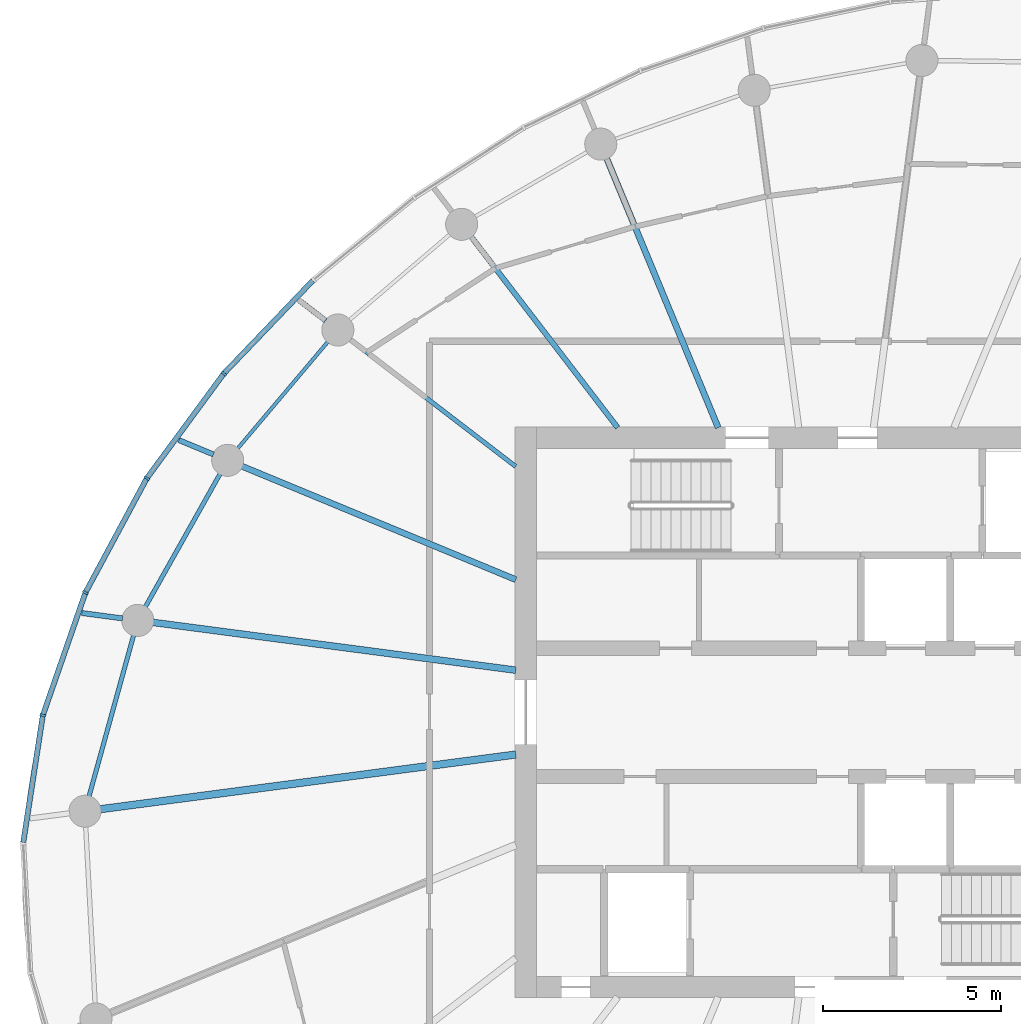
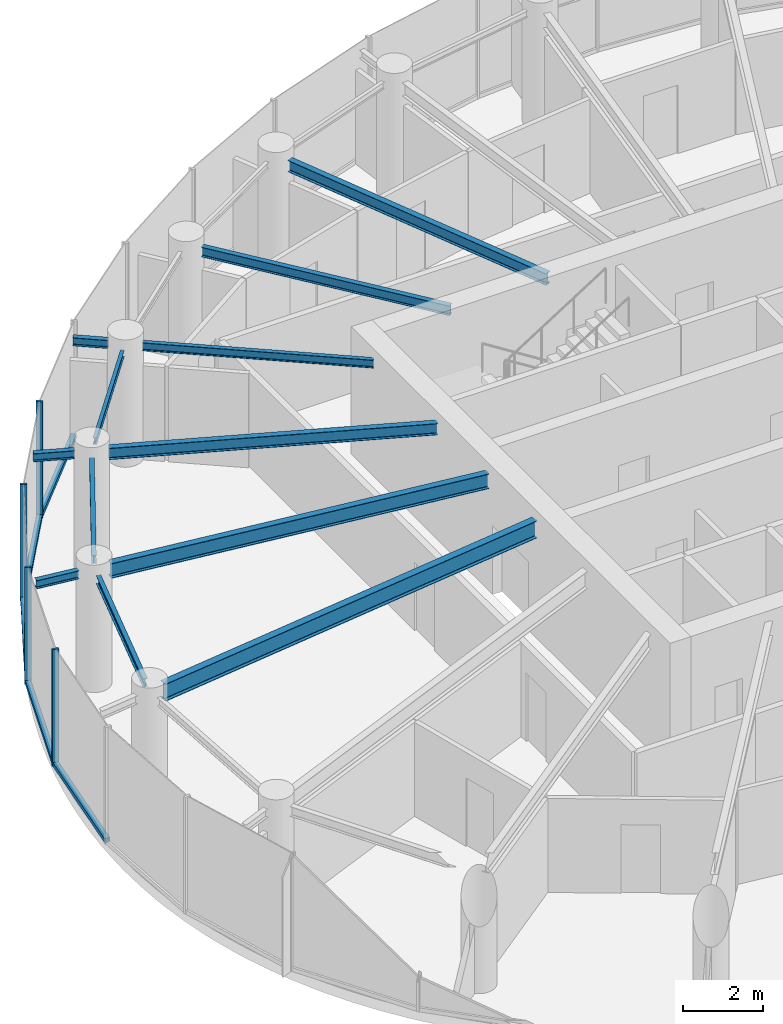
# One storey, part 4 of 14: 12 beams, 9 members, 2 elements without a shape of their own.
"""IFC4 building model written with IfcOpenShell, lengths in metres."""

from ifc_helpers import new_model, si_unit, direction, frame, origin, origin_2d, place, context, subcontext, project, spatial, rectangle, i_section, extrude, source, transform, mapped, material, layer, layer_set, material_profile, profile_set, type_object, element, aggregate, save


model = new_model("IFC4")

# Units and contexts
model_context = context("Model", 3, precision=1e-05, world=origin(), true_north=direction((0.0, 1.0)))
body_context = subcontext(model_context, "Body", "Model", "MODEL_VIEW")
ifc_project = project(units=[si_unit("LENGTHUNIT", "METRE"), si_unit("AREAUNIT", "SQUARE_METRE"), si_unit("VOLUMEUNIT", "CUBIC_METRE"), si_unit("PLANEANGLEUNIT", "RADIAN"), si_unit("MASSUNIT", "GRAM", prefix="KILO")], contexts=[model_context])

# Site, building, storey
site_placement = place(None, origin())
site = spatial("IfcSite", under=ifc_project, at=site_placement, CompositionType="ELEMENT")
building_placement = place(site_placement, origin())
building = spatial("IfcBuilding", under=site, at=building_placement, Name="Spindrift Exchange Tower", CompositionType="ELEMENT")
storey_placement = place(building_placement, frame((0.0, 0.0, 211.10009765625)))
storey = spatial("IfcBuildingStorey", under=building, at=storey_placement, Name="L51", CompositionType="ELEMENT", Elevation=211.10009765625)

# Beams
ifc_material_1 = material(Name="Steel Grade 300", Category="steel")
ifc_material_profile_1 = material_profile(ifc_material_1, i_section(OverallWidth=0.208984375, OverallDepth=0.528076171875, WebThickness=0.009521484375, FlangeThickness=0.01318359375, FilletRadius=0.013916015625, at=origin_2d()), Name="530UB82.0")
ifc_profile_set_1 = profile_set([ifc_material_profile_1], Name="Steel Grade 300")
beam_type_1 = type_object("IfcBeamType", Name="Floor Beam 530UB82.0 Steel Grade 300", PredefinedType="BEAM", material=ifc_profile_set_1)
shared_shape_1 = source(origin(), body_context, "Body", "SweptSolid", [
    extrude(i_section(OverallWidth=0.208984375, OverallDepth=0.528076171875, WebThickness=0.009521484375, FlangeThickness=0.01318359375, FilletRadius=0.013916015625, at=origin_2d()), origin(), (0.0, 0.0, 1.0), 11.75634765625),
])
beam_1_placement = place(storey_placement, frame((43.019775390625, 46.817626953125, 3.31591796875), z_axis=(-0.991445811455, -0.13051897543, 0.0), x_axis=(0.13051897543, -0.991445811455, 0.0)))
element("IfcBeam", 1, at=beam_1_placement, inside=storey, type_object=beam_type_1, Name="L51 radial beam R13A", PredefinedType="BEAM", context=body_context, shape_type="MappedRepresentation", body=[
    mapped(shared_shape_1, transform((0.0, 0.0, 0.0), scale=1.0)),
])
ifc_material_profile_2 = material_profile(ifc_material_1, i_section(OverallWidth=0.1708984375, OverallDepth=0.35205078125, WebThickness=0.0068359375, FlangeThickness=0.009765625, FilletRadius=0.013916015625, at=origin_2d()), Name="360UB44.7")
ifc_profile_set_2 = profile_set([ifc_material_profile_2], Name="Steel Grade 300")
beam_type_2 = type_object("IfcBeamType", Name="Floor Beam 360UB44.7 Steel Grade 300", PredefinedType="BEAM", material=ifc_profile_set_2)
shared_shape_2 = source(origin(), body_context, "Body", "SweptSolid", [
    extrude(i_section(OverallWidth=0.1708984375, OverallDepth=0.35205078125, WebThickness=0.0068359375, FlangeThickness=0.009765625, FilletRadius=0.013916015625, at=origin_2d()), origin(), (0.0, 0.0, 1.0), 8.1748046875),
])
beam_2_placement = place(storey_placement, frame((48.69384765625, 55.9814453125, 3.40380859375), z_axis=(-0.382655117626, 0.923891260352, 0.0), x_axis=(-0.923891260352, -0.382655117626, 0.0)))
element("IfcBeam", 2, at=beam_2_placement, inside=storey, type_object=beam_type_2, Name="L51 radial beam R08A", PredefinedType="BEAM", context=body_context, shape_type="MappedRepresentation", body=[
    mapped(shared_shape_2, transform((0.0, 0.0, 0.0), scale=1.0)),
])
ifc_material_profile_3 = material_profile(ifc_material_1, i_section(OverallWidth=0.14892578125, OverallDepth=0.298095703125, WebThickness=0.005615234375, FlangeThickness=0.008056640625, FilletRadius=0.012939453125, at=origin_2d()), Name="310UB32.0")
ifc_profile_set_3 = profile_set([ifc_material_profile_3], Name="Steel Grade 300")
beam_type_3 = type_object("IfcBeamType", Name="Floor Beam 310UB32.0 Steel Grade 300", PredefinedType="BEAM", material=ifc_profile_set_3)
shared_shape_3 = source(origin(), body_context, "Body", "SweptSolid", [
    extrude(i_section(OverallWidth=0.14892578125, OverallDepth=0.298095703125, WebThickness=0.005615234375, FlangeThickness=0.008056640625, FilletRadius=0.012939453125, at=origin_2d()), origin(), (0.0, 0.0, 1.0), 6.753173828125),
])
beam_3_placement = place(storey_placement, frame((45.87353515625, 55.984130859375, 3.430908203125), z_axis=(-0.608761639459, 0.793353178807, 0.0), x_axis=(-0.793353178807, -0.608761639459, 0.0)))
element("IfcBeam", 3, at=beam_3_placement, inside=storey, type_object=beam_type_3, Name="L51 radial beam R09A", PredefinedType="BEAM", context=body_context, shape_type="MappedRepresentation", body=[
    mapped(shared_shape_3, transform((0.0, 0.0, 0.0), scale=1.0)),
])
ifc_material_profile_4 = material_profile(ifc_material_1, i_section(OverallWidth=0.1240234375, OverallDepth=0.248046875, WebThickness=0.0048828125, FlangeThickness=0.008056640625, FilletRadius=0.011962890625, at=origin_2d()), Name="250UB25.7")
ifc_profile_set_4 = profile_set([ifc_material_profile_4], Name="Steel Grade 300")
beam_type_4 = type_object("IfcBeamType", Name="Floor Beam 250UB25.7 Steel Grade 300", PredefinedType="BEAM", material=ifc_profile_set_4)
shared_shape_4 = source(origin(), body_context, "Body", "SweptSolid", [
    extrude(i_section(OverallWidth=0.1240234375, OverallDepth=0.248046875, WebThickness=0.0048828125, FlangeThickness=0.008056640625, FilletRadius=0.011962890625, at=origin_2d()), origin(), (0.0, 0.0, 1.0), 5.855712890625),
])
beam_4_placement = place(storey_placement, frame((43.015869140625, 54.893798828125, 3.455810546875), z_axis=(-0.793362708479, 0.608749219954, 0.0), x_axis=(-0.608749219954, -0.793362708479, 0.0)))
element("IfcBeam", 4, at=beam_4_placement, inside=storey, type_object=beam_type_4, Name="L51 radial beam R10A", PredefinedType="BEAM", context=body_context, shape_type="MappedRepresentation", body=[
    mapped(shared_shape_4, transform((0.0, 0.0, 0.0), scale=1.0)),
])
shared_shape_5 = source(origin(), body_context, "Body", "SweptSolid", [
    extrude(i_section(OverallWidth=0.1708984375, OverallDepth=0.35205078125, WebThickness=0.0068359375, FlangeThickness=0.009765625, FilletRadius=0.013916015625, at=origin_2d()), origin(), (0.0, 0.0, 1.0), 8.3134765625),
])
beam_5_placement = place(storey_placement, frame((43.0185546875, 51.72021484375, 3.40380859375), z_axis=(-0.923881179957, 0.382679455055, 0.0), x_axis=(-0.382679455055, -0.923881179957, 0.0)))
element("IfcBeam", 5, at=beam_5_placement, inside=storey, type_object=beam_type_2, Name="L51 radial beam R11A", PredefinedType="BEAM", context=body_context, shape_type="MappedRepresentation", body=[
    mapped(shared_shape_5, transform((0.0, 0.0, 0.0), scale=1.0)),
])
ifc_material_profile_5 = material_profile(ifc_material_1, i_section(OverallWidth=0.18994140625, OverallDepth=0.4541015625, WebThickness=0.008544921875, FlangeThickness=0.0126953125, FilletRadius=0.013916015625, at=origin_2d()), Name="460UB67.1")
ifc_profile_set_5 = profile_set([ifc_material_profile_5], Name="Steel Grade 300")
beam_type_5 = type_object("IfcBeamType", Name="Floor Beam 460UB67.1 Steel Grade 300", PredefinedType="BEAM", material=ifc_profile_set_5)
shared_shape_6 = source(origin(), body_context, "Body", "SweptSolid", [
    extrude(i_section(OverallWidth=0.18994140625, OverallDepth=0.4541015625, WebThickness=0.008544921875, FlangeThickness=0.0126953125, FilletRadius=0.013916015625, at=origin_2d()), origin(), (0.0, 0.0, 1.0), 10.262451171875),
])
beam_6_placement = place(storey_placement, frame((43.019775390625, 49.182373046875, 3.352783203125), z_axis=(-0.991446763371, 0.130511744304, 0.0), x_axis=(-0.130511744304, -0.991446763371, 0.0)))
element("IfcBeam", 6, at=beam_6_placement, inside=storey, type_object=beam_type_5, Name="L51 radial beam R12A", PredefinedType="BEAM", context=body_context, shape_type="MappedRepresentation", body=[
    mapped(shared_shape_6, transform((0.0, 0.0, 0.0), scale=1.0)),
])
ifc_material_profile_6 = material_profile(ifc_material_1, i_section(OverallWidth=0.09912109375, OverallDepth=0.197998046875, WebThickness=0.00439453125, FlangeThickness=0.007080078125, FilletRadius=0.010986328125, at=origin_2d()), Name="200UB18.2")
ifc_profile_set_6 = profile_set([ifc_material_profile_6], Name="Steel Grade 300")
beam_type_6 = type_object("IfcBeamType", Name="Edge Beam 200UB18.2 Steel Grade 300", PredefinedType="SPANDREL", material=ifc_profile_set_6)
shared_shape_7 = source(origin(), body_context, "Body", "SweptSolid", [
    extrude(i_section(OverallWidth=0.09912109375, OverallDepth=0.197998046875, WebThickness=0.00439453125, FlangeThickness=0.007080078125, FilletRadius=0.010986328125, at=origin_2d()), origin(), (0.0, 0.0, 1.0), 3.92431640625),
])
beam_7_placement = place(storey_placement, frame((37.75146484375, 58.391845703125, 3.48095703125), z_axis=(-0.645498720032, -0.763761351757, 0.0), x_axis=(0.763761351757, -0.645498720032, 0.0)))
element("IfcBeam", 7, at=beam_7_placement, inside=storey, type_object=beam_type_6, Name="L51 edge beam E10", PredefinedType="SPANDREL", context=body_context, shape_type="MappedRepresentation", body=[
    mapped(shared_shape_7, transform((0.0, 0.0, 0.0), scale=1.0)),
])
ifc_material_profile_7 = material_profile(ifc_material_1, i_section(OverallWidth=0.1240234375, OverallDepth=0.248046875, WebThickness=0.0048828125, FlangeThickness=0.008056640625, FilletRadius=0.011962890625, at=origin_2d()), Name="250UB25.7")
ifc_profile_set_7 = profile_set([ifc_material_profile_7], Name="Steel Grade 300")
beam_type_7 = type_object("IfcBeamType", Name="Edge Beam 250UB25.7 Steel Grade 300", PredefinedType="SPANDREL", material=ifc_profile_set_7)
shared_shape_8 = source(origin(), body_context, "Body", "SweptSolid", [
    extrude(i_section(OverallWidth=0.1240234375, OverallDepth=0.248046875, WebThickness=0.0048828125, FlangeThickness=0.008056640625, FilletRadius=0.011962890625, at=origin_2d()), origin(), (0.0, 0.0, 1.0), 4.2880859375),
])
beam_8_placement = place(storey_placement, frame((34.72998046875, 54.69140625, 3.455810546875), z_axis=(-0.489804347673, -0.871832381253, 0.0), x_axis=(0.871832381253, -0.489804347673, 0.0)))
element("IfcBeam", 8, at=beam_8_placement, inside=storey, type_object=beam_type_7, Name="L51 edge beam E11", PredefinedType="SPANDREL", context=body_context, shape_type="MappedRepresentation", body=[
    mapped(shared_shape_8, transform((0.0, 0.0, 0.0), scale=1.0)),
])
shared_shape_9 = source(origin(), body_context, "Body", "SweptSolid", [
    extrude(i_section(OverallWidth=0.1240234375, OverallDepth=0.248046875, WebThickness=0.0048828125, FlangeThickness=0.008056640625, FilletRadius=0.011962890625, at=origin_2d()), origin(), (0.0, 0.0, 1.0), 4.69189453125),
])
beam_9_placement = place(storey_placement, frame((32.30419921875, 50.16357421875, 3.455810546875), z_axis=(-0.266774248618, -0.963759046792, 0.0), x_axis=(0.963759046792, -0.266774248618, 0.0)))
element("IfcBeam", 9, at=beam_9_placement, inside=storey, type_object=beam_type_7, Name="L51 edge beam E12", PredefinedType="SPANDREL", context=body_context, shape_type="MappedRepresentation", body=[
    mapped(shared_shape_9, transform((0.0, 0.0, 0.0), scale=1.0)),
])
ifc_material_profile_8 = material_profile(ifc_material_1, i_section(OverallWidth=0.14599609375, OverallDepth=0.251953125, WebThickness=0.006103515625, FlangeThickness=0.008544921875, FilletRadius=0.011962890625, at=origin_2d()), Name="250UB31.4")
ifc_profile_set_8 = profile_set([ifc_material_profile_8], Name="Steel Grade 300")
beam_type_8 = type_object("IfcBeamType", Name="Cantilever Beam 250UB31.4 Steel Grade 300", PredefinedType="BEAM", material=ifc_profile_set_8)
shared_shape_10 = source(origin(), body_context, "Body", "SweptSolid", [
    extrude(i_section(OverallWidth=0.14599609375, OverallDepth=0.251953125, WebThickness=0.006103515625, FlangeThickness=0.008544921875, FilletRadius=0.011962890625, at=origin_2d()), origin(), (0.0, 0.0, 1.0), 0.897216796875),
])
beam_10_placement = place(storey_placement, frame((37.68798828125, 58.982177734375, 3.453857421875), z_axis=(-0.793422391106, 0.608671429666, 0.0), x_axis=(-0.608671429666, -0.793422391106, 0.0)))
element("IfcBeam", 10, at=beam_10_placement, inside=storey, type_object=beam_type_8, Name="L51 cantilever beam R10T", PredefinedType="BEAM", context=body_context, shape_type="MappedRepresentation", body=[
    mapped(shared_shape_10, transform((0.0, 0.0, 0.0), scale=1.0)),
])
shared_shape_11 = source(origin(), body_context, "Body", "SweptSolid", [
    extrude(i_section(OverallWidth=0.14599609375, OverallDepth=0.251953125, WebThickness=0.006103515625, FlangeThickness=0.008544921875, FilletRadius=0.011962890625, at=origin_2d()), origin(), (0.0, 0.0, 1.0), 1.0498046875),
])
beam_11_placement = place(storey_placement, frame((34.543212890625, 55.230712890625, 3.453857421875), z_axis=(-0.923818363484, 0.382831074092, 0.0), x_axis=(-0.382831074092, -0.923818363484, 0.0)))
element("IfcBeam", 11, at=beam_11_placement, inside=storey, type_object=beam_type_8, Name="L51 cantilever beam R11T", PredefinedType="BEAM", context=body_context, shape_type="MappedRepresentation", body=[
    mapped(shared_shape_11, transform((0.0, 0.0, 0.0), scale=1.0)),
])
shared_shape_12 = source(origin(), body_context, "Body", "SweptSolid", [
    extrude(i_section(OverallWidth=0.14599609375, OverallDepth=0.251953125, WebThickness=0.006103515625, FlangeThickness=0.008544921875, FilletRadius=0.011962890625, at=origin_2d()), origin(), (0.0, 0.0, 1.0), 1.15185546875),
])
beam_12_placement = place(storey_placement, frame((31.99267578125, 50.634033203125, 3.453857421875), z_axis=(-0.991441306063, 0.130553194642, 0.0), x_axis=(-0.130553194642, -0.991441306063, 0.0)))
element("IfcBeam", 12, at=beam_12_placement, inside=storey, type_object=beam_type_8, Name="L51 cantilever beam R12T", PredefinedType="BEAM", context=body_context, shape_type="MappedRepresentation", body=[
    mapped(shared_shape_12, transform((0.0, 0.0, 0.0), scale=1.0)),
])

# Curtain wall, members
ifc_material_2 = material(Name="Fritted laminated glass with bronze frame", Category="glass")
ifc_layer = layer(ifc_material_2, 0.169921875)
ifc_layer_set = layer_set([ifc_layer], Name="ZONE 4 BRONZE FRITTED WALL")
curtain_wall_type = type_object("IfcCurtainWallType", Name="ZONE 4 BRONZE FRITTED WALL", PredefinedType="NOTDEFINED", material=ifc_layer_set)
curtain_wall_1_placement = place(storey_placement, origin())
curtain_wall_1 = element("IfcCurtainWall", 13, at=curtain_wall_1_placement, inside=storey, type_object=curtain_wall_type, Name="L51 Zone 4 Bronze Fritted Wall run 3", PredefinedType="NOTDEFINED")
ifc_material_3 = material(Name="Bronze anodised aluminium", Category="aluminium")
ifc_material_profile_9 = material_profile(ifc_material_3, rectangle(XDim=0.06494140625, YDim=0.169921875, at=origin_2d()), Name="ZONE 4 BRONZE FRITTED WALL MULLION 65X170")
ifc_profile_set_9 = profile_set([ifc_material_profile_9], Name="Bronze anodised aluminium")
member_type_1 = type_object("IfcMemberType", Name="ZONE 4 BRONZE FRITTED WALL MULLION 65X170", PredefinedType="MULLION", material=ifc_profile_set_9)
shared_shape_13 = source(origin(), body_context, "Body", "SweptSolid", [
    extrude(rectangle(XDim=0.06494140625, YDim=0.169921875, at=origin_2d()), origin(), (0.0, 0.0, 1.0), 3.579833984375),
])
member_1_placement = place(storey_placement, frame((34.83154296875, 57.4990234375, 0.0), z_axis=(0.0, 0.0, 1.0), x_axis=(-0.643250176119, -0.765656065687, 0.0)))
member_1 = element("IfcMember", 14, at=member_1_placement, type_object=member_type_1, Name="L51 mullion CW-4.13", PredefinedType="MULLION", context=body_context, shape_type="MappedRepresentation", body=[
    mapped(shared_shape_13, transform((0.0, 0.0, 0.0), scale=1.0)),
])
member_2_placement = place(storey_placement, frame((32.673583984375, 54.564697265625, 0.0), z_axis=(0.0, 0.0, 1.0), x_axis=(-0.534026491919, -0.845467743872, 0.0)))
member_2 = element("IfcMember", 15, at=member_2_placement, type_object=member_type_1, Name="L51 mullion CW-4.14", PredefinedType="MULLION", context=body_context, shape_type="MappedRepresentation", body=[
    mapped(shared_shape_13, transform((0.0, 0.0, 0.0), scale=1.0)),
])
member_3_placement = place(storey_placement, frame((30.951416015625, 51.356201171875, 0.0), z_axis=(0.0, 0.0, 1.0), x_axis=(-0.401635379489, -0.915799662559, 0.0)))
member_3 = element("IfcMember", 16, at=member_3_placement, type_object=member_type_1, Name="L51 mullion CW-4.15", PredefinedType="MULLION", context=body_context, shape_type="MappedRepresentation", body=[
    mapped(shared_shape_13, transform((0.0, 0.0, 0.0), scale=1.0)),
])
member_4_placement = place(storey_placement, frame((29.758056640625, 47.9169921875, 0.0), z_axis=(0.0, 0.0, 1.0), x_axis=(-0.241021868361, -0.970519685, 0.0)))
member_4 = element("IfcMember", 17, at=member_4_placement, type_object=member_type_1, Name="L51 mullion CW-4.16", PredefinedType="MULLION", context=body_context, shape_type="MappedRepresentation", body=[
    mapped(shared_shape_13, transform((0.0, 0.0, 0.0), scale=1.0)),
])
ifc_material_profile_10 = material_profile(ifc_material_3, rectangle(XDim=0.14990234375, YDim=0.125, at=origin_2d()), Name="ZONE 4 BRONZE FRITTED WALL TRANSOM 150X125")
ifc_profile_set_10 = profile_set([ifc_material_profile_10], Name="Bronze anodised aluminium")
member_type_2 = type_object("IfcMemberType", Name="ZONE 4 BRONZE FRITTED WALL TRANSOM 150X125", PredefinedType="USERDEFINED", material=ifc_profile_set_10)
shared_shape_14 = source(origin(), body_context, "Body", "SweptSolid", [
    extrude(rectangle(XDim=0.14990234375, YDim=0.125, at=origin_2d()), origin(), (0.0, 0.0, 1.0), 3.5771484375),
])
member_5_placement = place(storey_placement, frame((34.812255859375, 57.472900390625, 0.0625), z_axis=(-0.592460803811, -0.805599277524, 0.0), x_axis=(0.805599277524, -0.592460803811, 0.0)))
member_5 = element("IfcMember", 18, at=member_5_placement, type_object=member_type_2, Name="L51 transom CW-4.13", ObjectType="TRANSOM", PredefinedType="USERDEFINED", context=body_context, shape_type="MappedRepresentation", body=[
    mapped(shared_shape_14, transform((0.0, 0.0, 0.0), scale=1.0)),
])

# Curtain wall, member
curtain_wall_2_placement = place(storey_placement, origin())
curtain_wall_2 = element("IfcCurtainWall", 19, at=curtain_wall_2_placement, inside=storey, type_object=curtain_wall_type, Name="L51 Zone 4 Bronze Fritted Wall run 2", PredefinedType="NOTDEFINED")
shared_shape_15 = source(origin(), body_context, "Body", "SweptSolid", [
    extrude(rectangle(XDim=0.14990234375, YDim=0.125, at=origin_2d()), origin(), (0.0, 0.0, 1.0), 3.577392578125),
])
member_6_placement = place(storey_placement, frame((37.327392578125, 60.107177734375, 0.0625), z_axis=(-0.691376026942, -0.722495113734, 0.0), x_axis=(0.722495113734, -0.691376026942, 0.0)))
member_6 = element("IfcMember", 20, at=member_6_placement, type_object=member_type_2, Name="L51 transom CW-4.12", ObjectType="TRANSOM", PredefinedType="USERDEFINED", context=body_context, shape_type="MappedRepresentation", body=[
    mapped(shared_shape_15, transform((0.0, 0.0, 0.0), scale=1.0)),
])
aggregate(curtain_wall_2, [member_6])

# Member
shared_shape_16 = source(origin(), body_context, "Body", "SweptSolid", [
    extrude(rectangle(XDim=0.14990234375, YDim=0.125, at=origin_2d()), origin(), (0.0, 0.0, 1.0), 3.57568359375),
])
member_7_placement = place(storey_placement, frame((30.94091796875, 51.32568359375, 0.0625), z_axis=(-0.327797576106, -0.944747981791, 0.0), x_axis=(0.944747981791, -0.327797576106, 0.0)))
member_7 = element("IfcMember", 21, at=member_7_placement, type_object=member_type_2, Name="L51 transom CW-4.15", ObjectType="TRANSOM", PredefinedType="USERDEFINED", context=body_context, shape_type="MappedRepresentation", body=[
    mapped(shared_shape_16, transform((0.0, 0.0, 0.0), scale=1.0)),
])

shared_shape_17 = source(origin(), body_context, "Body", "SweptSolid", [
    extrude(rectangle(XDim=0.14990234375, YDim=0.125, at=origin_2d()), origin(), (0.0, 0.0, 1.0), 3.57421875),
])
member_8_placement = place(storey_placement, frame((29.753173828125, 47.884765625, 0.0625), z_axis=(-0.152257365474, -0.988340879787, 0.0), x_axis=(0.988340879787, -0.152257365474, 0.0)))
member_8 = element("IfcMember", 22, at=member_8_placement, type_object=member_type_2, Name="L51 transom CW-4.16", ObjectType="TRANSOM", PredefinedType="USERDEFINED", context=body_context, shape_type="MappedRepresentation", body=[
    mapped(shared_shape_17, transform((0.0, 0.0, 0.0), scale=1.0)),
])

shared_shape_18 = source(origin(), body_context, "Body", "SweptSolid", [
    extrude(rectangle(XDim=0.14990234375, YDim=0.125, at=origin_2d()), origin(), (0.0, 0.0, 1.0), 3.576416015625),
])
member_9_placement = place(storey_placement, frame((32.658447265625, 54.5361328125, 0.0625), z_axis=(-0.472992214718, -0.881066606345, 0.0), x_axis=(0.881066606345, -0.472992214718, 0.0)))
member_9 = element("IfcMember", 23, at=member_9_placement, type_object=member_type_2, Name="L51 transom CW-4.14", ObjectType="TRANSOM", PredefinedType="USERDEFINED", context=body_context, shape_type="MappedRepresentation", body=[
    mapped(shared_shape_18, transform((0.0, 0.0, 0.0), scale=1.0)),
])

aggregate(curtain_wall_1, [member_1, member_5, member_2, member_9, member_3, member_7, member_4, member_8])

save(model, "model.ifc")
